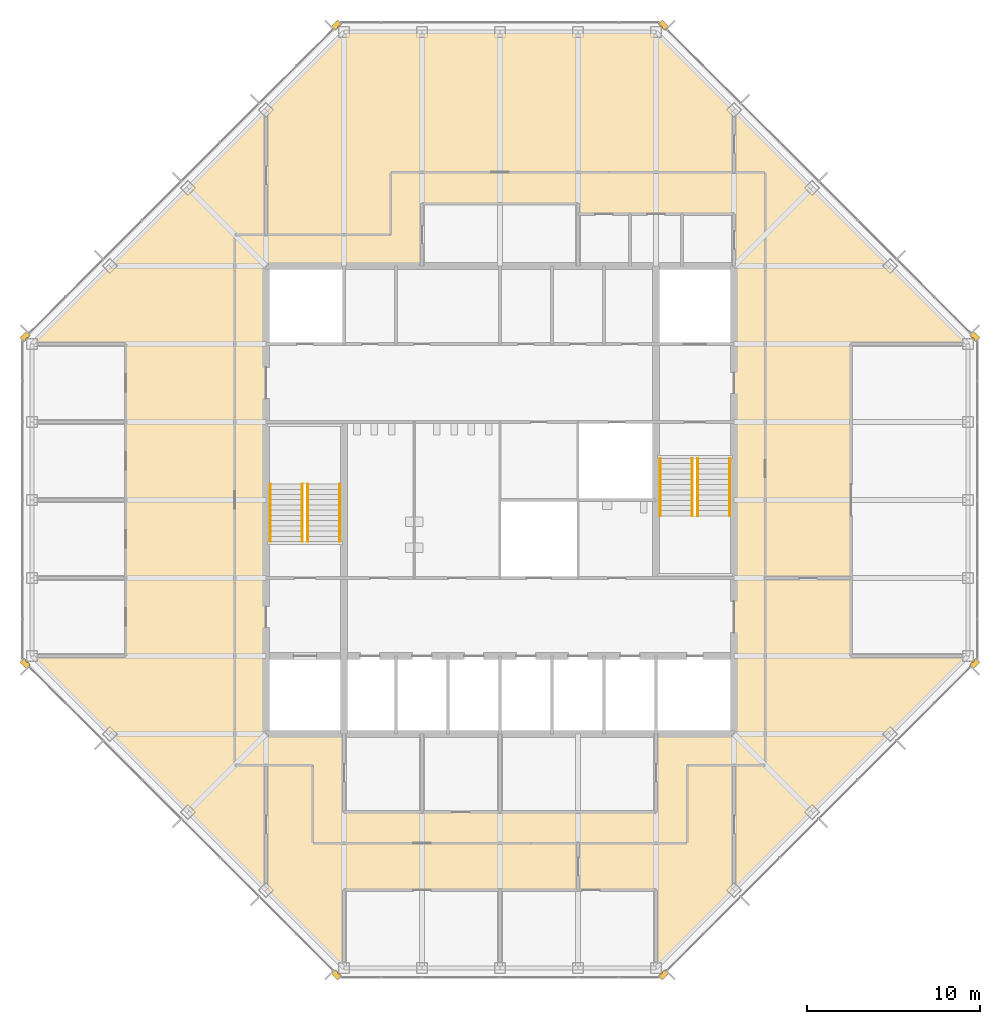
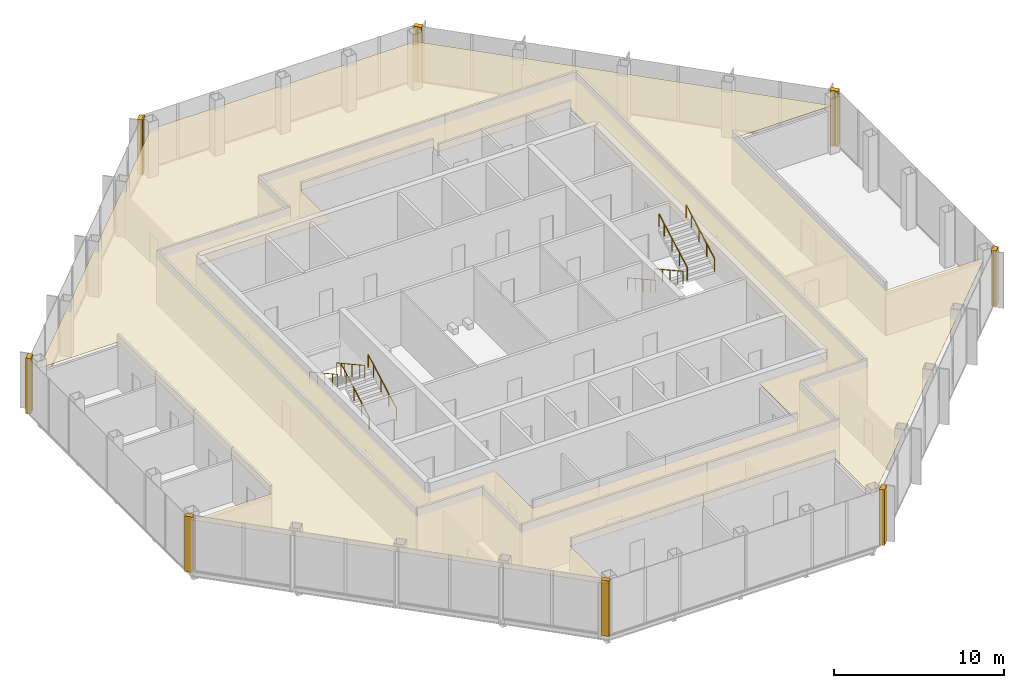
# One storey, part 13 of 14: 9 coverings, 8 railings.
"""IFC4 building model written with IfcOpenShell, lengths in metres."""

from ifc_helpers import new_model, si_unit, direction, frame, origin, origin_2d, place, context, subcontext, project, spatial, polyline, circle, outline, extrude, material, layer, layer_set, type_object, element, save


model = new_model("IFC4")

# Units and contexts
model_context = context("Model", 3, precision=1e-05, world=origin(), true_north=direction((0.0, 1.0)))
body_context = subcontext(model_context, "Body", "Model", "MODEL_VIEW")
ifc_project = project(units=[si_unit("LENGTHUNIT", "METRE"), si_unit("AREAUNIT", "SQUARE_METRE"), si_unit("VOLUMEUNIT", "CUBIC_METRE"), si_unit("PLANEANGLEUNIT", "RADIAN"), si_unit("MASSUNIT", "GRAM", prefix="KILO")], contexts=[model_context])

# Site, building, storey
site_placement = place(None, origin())
site = spatial("IfcSite", under=ifc_project, at=site_placement, CompositionType="ELEMENT")
building_placement = place(site_placement, origin())
building = spatial("IfcBuilding", under=site, at=building_placement, Name="Corais Broadcast Tower", CompositionType="ELEMENT")
storey_placement = place(building_placement, frame((0.0, 0.0, 234.60009765625)))
storey = spatial("IfcBuildingStorey", under=building, at=storey_placement, Name="L54", CompositionType="ELEMENT", Elevation=234.60009765625)

# Railings
ifc_material_1 = material(Name="Stainless steel handrail", Category="steel")
railing_type = type_object("IfcRailingType", Name="Handrail 920", PredefinedType="HANDRAIL", material=ifc_material_1)
for number, where, name in (
    (1, (17.75, 24.60009765625, 0.16650390625), "HR1 L54"),
    (2, (15.89990234375, 24.60009765625, 0.16650390625), "HR1 L54"),
):
    element("IfcRailing", number, at=place(storey_placement, frame(where)), inside=storey, type_object=railing_type, Name=name, PredefinedType="HANDRAIL", context=body_context, shape_type="SweptSolid", body=[
        extrude(circle(Radius=0.02392578125, at=origin_2d()), frame((0.0, 0.0, 0.89599609375), z_axis=(0.0, 0.875504475178, 0.483210010185), x_axis=(-1.0, 0.0, 0.0)), (0.0, 0.0, 1.0), 3.79443359375),
        extrude(circle(Radius=0.02099609375, at=origin_2d()), origin(), (0.0, 0.0, 1.0), 0.871826171875),
        extrude(circle(Radius=0.02099609375, at=origin_2d()), frame((0.0, 0.906005859375, 0.5)), (0.0, 0.0, 1.0), 0.871826171875),
        extrude(circle(Radius=0.02099609375, at=origin_2d()), frame((0.0, 1.81201171875, 1.0)), (0.0, 0.0, 1.0), 0.871826171875),
        extrude(circle(Radius=0.02099609375, at=origin_2d()), frame((0.0, 2.718017578125, 1.500244140625)), (0.0, 0.0, 1.0), 0.871826171875),
        extrude(circle(Radius=0.02099609375, at=origin_2d()), frame((0.0, 3.322021484375, 1.83349609375)), (0.0, 0.0, 1.0), 0.871826171875),
    ])
for number, where, name in (
    (3, (13.75, 27.922119140625, 2.16650390625), "HR1 L54"),
    (4, (15.60009765625, 27.922119140625, 2.16650390625), "HR1 L54"),
    (5, (36.25, 29.39990234375, 0.16650390625), "HR1 L54"),
    (6, (38.10009765625, 29.39990234375, 0.16650390625), "HR1 L54"),
):
    element("IfcRailing", number, at=place(storey_placement, frame(where)), inside=storey, type_object=railing_type, Name=name, PredefinedType="HANDRAIL", context=body_context, shape_type="SweptSolid", body=[
        extrude(circle(Radius=0.02392578125, at=origin_2d()), frame((0.0, 0.0, 0.89599609375), z_axis=(0.0, -0.875504475178, 0.483210010185), x_axis=(1.0, 0.0, 0.0)), (0.0, 0.0, 1.0), 3.79443359375),
        extrude(circle(Radius=0.02099609375, at=origin_2d()), origin(), (0.0, 0.0, 1.0), 0.871826171875),
        extrude(circle(Radius=0.02099609375, at=origin_2d()), frame((0.0, -0.906005859375, 0.5)), (0.0, 0.0, 1.0), 0.871826171875),
        extrude(circle(Radius=0.02099609375, at=origin_2d()), frame((0.0, -1.81201171875, 1.0)), (0.0, 0.0, 1.0), 0.871826171875),
        extrude(circle(Radius=0.02099609375, at=origin_2d()), frame((0.0, -2.718017578125, 1.500244140625)), (0.0, 0.0, 1.0), 0.871826171875),
        extrude(circle(Radius=0.02099609375, at=origin_2d()), frame((0.0, -3.322021484375, 1.83349609375)), (0.0, 0.0, 1.0), 0.871826171875),
    ])
for number, where, name in (
    (7, (40.25, 26.077880859375, 2.16650390625), "HR1 L54"),
    (8, (38.39990234375, 26.077880859375, 2.16650390625), "HR1 L54"),
):
    element("IfcRailing", number, at=place(storey_placement, frame(where)), inside=storey, type_object=railing_type, Name=name, PredefinedType="HANDRAIL", context=body_context, shape_type="SweptSolid", body=[
        extrude(circle(Radius=0.02392578125, at=origin_2d()), frame((0.0, 0.0, 0.89599609375), z_axis=(0.0, 0.875504475178, 0.483210010185), x_axis=(-1.0, 0.0, 0.0)), (0.0, 0.0, 1.0), 3.79443359375),
        extrude(circle(Radius=0.02099609375, at=origin_2d()), origin(), (0.0, 0.0, 1.0), 0.871826171875),
        extrude(circle(Radius=0.02099609375, at=origin_2d()), frame((0.0, 0.906005859375, 0.5)), (0.0, 0.0, 1.0), 0.871826171875),
        extrude(circle(Radius=0.02099609375, at=origin_2d()), frame((0.0, 1.81201171875, 1.0)), (0.0, 0.0, 1.0), 0.871826171875),
        extrude(circle(Radius=0.02099609375, at=origin_2d()), frame((0.0, 2.718017578125, 1.500244140625)), (0.0, 0.0, 1.0), 0.871826171875),
        extrude(circle(Radius=0.02099609375, at=origin_2d()), frame((0.0, 3.322021484375, 1.83349609375)), (0.0, 0.0, 1.0), 0.871826171875),
    ])

# Coverings
ifc_material_2 = material(Name="Granite stone cladding", Category="masonry")
ifc_layer_1 = layer(ifc_material_2, 0.324951171875)
ifc_layer_set_1 = layer_set([ifc_layer_1], Name="Granite stone cladding")
covering_type_1 = type_object("IfcCoveringType", Name="Stone corner pier cladding 500x325", PredefinedType="CLADDING", material=ifc_layer_set_1)
covering_1_placement = place(storey_placement, origin())
element("IfcCovering", 9, at=covering_1_placement, inside=storey, type_object=covering_type_1, Name="SP1 stone corner pier L54", PredefinedType="CLADDING", context=body_context, shape_type="SweptSolid", body=[
    extrude(outline(polyline([(17.860595703125, -0.461669921875), (17.7490234375, -0.35009765625), (17.64990234375, -0.35009765625), (17.64990234375, -0.2509765625), (17.507080078125, -0.108154296875), (17.277099609375, -0.337890625), (17.630859375, -0.69140625), (17.860595703125, -0.461669921875)])), origin(), (0.0, 0.0, 1.0), 4.0),
])
covering_2_placement = place(storey_placement, origin())
element("IfcCovering", 10, at=covering_2_placement, inside=storey, type_object=covering_type_1, Name="SP1 stone corner pier L54", PredefinedType="CLADDING", context=body_context, shape_type="SweptSolid", body=[
    extrude(outline(polyline([(-0.35009765625, 17.7490234375), (-0.461669921875, 17.860595703125), (-0.69140625, 17.630859375), (-0.337890625, 17.277099609375), (-0.108154296875, 17.507080078125), (-0.2509765625, 17.64990234375), (-0.35009765625, 17.64990234375), (-0.35009765625, 17.7490234375)])), origin(), (0.0, 0.0, 1.0), 4.0),
])
covering_3_placement = place(storey_placement, origin())
element("IfcCovering", 11, at=covering_3_placement, inside=storey, type_object=covering_type_1, Name="SP1 stone corner pier L54", PredefinedType="CLADDING", context=body_context, shape_type="SweptSolid", body=[
    extrude(outline(polyline([(-0.461669921875, 36.139404296875), (-0.35009765625, 36.2509765625), (-0.35009765625, 36.35009765625), (-0.2509765625, 36.35009765625), (-0.108154296875, 36.492919921875), (-0.337890625, 36.722900390625), (-0.69140625, 36.369140625), (-0.461669921875, 36.139404296875)])), origin(), (0.0, 0.0, 1.0), 4.0),
])
covering_4_placement = place(storey_placement, origin())
element("IfcCovering", 12, at=covering_4_placement, inside=storey, type_object=covering_type_1, Name="SP1 stone corner pier L54", PredefinedType="CLADDING", context=body_context, shape_type="SweptSolid", body=[
    extrude(outline(polyline([(17.7490234375, 54.35009765625), (17.860595703125, 54.461669921875), (17.630859375, 54.69140625), (17.277099609375, 54.337890625), (17.507080078125, 54.108154296875), (17.64990234375, 54.2509765625), (17.64990234375, 54.35009765625), (17.7490234375, 54.35009765625)])), origin(), (0.0, 0.0, 1.0), 4.0),
])
covering_5_placement = place(storey_placement, origin())
element("IfcCovering", 13, at=covering_5_placement, inside=storey, type_object=covering_type_1, Name="SP1 stone corner pier L54", PredefinedType="CLADDING", context=body_context, shape_type="SweptSolid", body=[
    extrude(outline(polyline([(36.139404296875, 54.461669921875), (36.2509765625, 54.35009765625), (36.35009765625, 54.35009765625), (36.35009765625, 54.2509765625), (36.492919921875, 54.108154296875), (36.722900390625, 54.337890625), (36.369140625, 54.69140625), (36.139404296875, 54.461669921875)])), origin(), (0.0, 0.0, 1.0), 4.0),
])
covering_6_placement = place(storey_placement, origin())
element("IfcCovering", 14, at=covering_6_placement, inside=storey, type_object=covering_type_1, Name="SP1 stone corner pier L54", PredefinedType="CLADDING", context=body_context, shape_type="SweptSolid", body=[
    extrude(outline(polyline([(54.35009765625, 36.2509765625), (54.461669921875, 36.139404296875), (54.69140625, 36.369140625), (54.337890625, 36.722900390625), (54.108154296875, 36.492919921875), (54.2509765625, 36.35009765625), (54.35009765625, 36.35009765625), (54.35009765625, 36.2509765625)])), origin(), (0.0, 0.0, 1.0), 4.0),
])
covering_7_placement = place(storey_placement, origin())
element("IfcCovering", 15, at=covering_7_placement, inside=storey, type_object=covering_type_1, Name="SP1 stone corner pier L54", PredefinedType="CLADDING", context=body_context, shape_type="SweptSolid", body=[
    extrude(outline(polyline([(54.461669921875, 17.860595703125), (54.35009765625, 17.7490234375), (54.35009765625, 17.64990234375), (54.2509765625, 17.64990234375), (54.108154296875, 17.507080078125), (54.337890625, 17.277099609375), (54.69140625, 17.630859375), (54.461669921875, 17.860595703125)])), origin(), (0.0, 0.0, 1.0), 4.0),
])
covering_8_placement = place(storey_placement, origin())
element("IfcCovering", 16, at=covering_8_placement, inside=storey, type_object=covering_type_1, Name="SP1 stone corner pier L54", PredefinedType="CLADDING", context=body_context, shape_type="SweptSolid", body=[
    extrude(outline(polyline([(36.2509765625, -0.35009765625), (36.139404296875, -0.461669921875), (36.369140625, -0.69140625), (36.722900390625, -0.337890625), (36.492919921875, -0.108154296875), (36.35009765625, -0.2509765625), (36.35009765625, -0.35009765625), (36.2509765625, -0.35009765625)])), origin(), (0.0, 0.0, 1.0), 4.0),
])
ifc_material_3 = material(Name="Mineral fibre ceiling tile", Category="mineral")
ifc_layer_2 = layer(ifc_material_3, 0.02001953125)
ifc_layer_set_2 = layer_set([ifc_layer_2], Name="Mineral fibre ceiling tile")
covering_type_2 = type_object("IfcCoveringType", Name="Suspended ceiling", PredefinedType="CEILING", material=ifc_layer_set_2)
covering_9_placement = place(storey_placement, frame((0.0, 0.0, 3.219970703125)))
element("IfcCovering", 17, at=covering_9_placement, inside=storey, type_object=covering_type_2, Name="CE1 ceiling L54", PredefinedType="CEILING", context=body_context, shape_type="SweptSolid", body=[
    extrude(outline(polyline([(13.5, 49.5), (13.5, 49.5), (18.0, 54.0), (36.0, 54.0), (54.0, 36.0), (47.25, 36.0), (47.25, 18.0), (54.0, 18.0), (40.500244140625, 4.500244140625), (40.49853515625, 4.49853515625), (40.498291015625, 4.498291015625), (36.0, 0.0), (36.0, 4.5), (18.0, 4.5), (18.0, 0.0), (13.501708984375, 4.498291015625), (13.499755859375, 4.500244140625), (0.0, 18.0), (5.39990234375, 18.0), (5.39990234375, 36.0), (0.0, 36.0), (13.5, 49.5)]), holes=[polyline([(40.5, 43.5), (31.5, 43.5), (31.5, 44.10009765625), (22.5, 44.10009765625), (22.5, 40.5), (13.5, 40.5), (13.5, 13.5), (18.0, 13.5), (18.0, 9.0), (36.0, 9.0), (36.0, 13.5), (40.5, 13.5), (40.5, 43.5)])]), origin(), (0.0, 0.0, 1.0), 0.02001953125),
])

save(model, "model.ifc")
